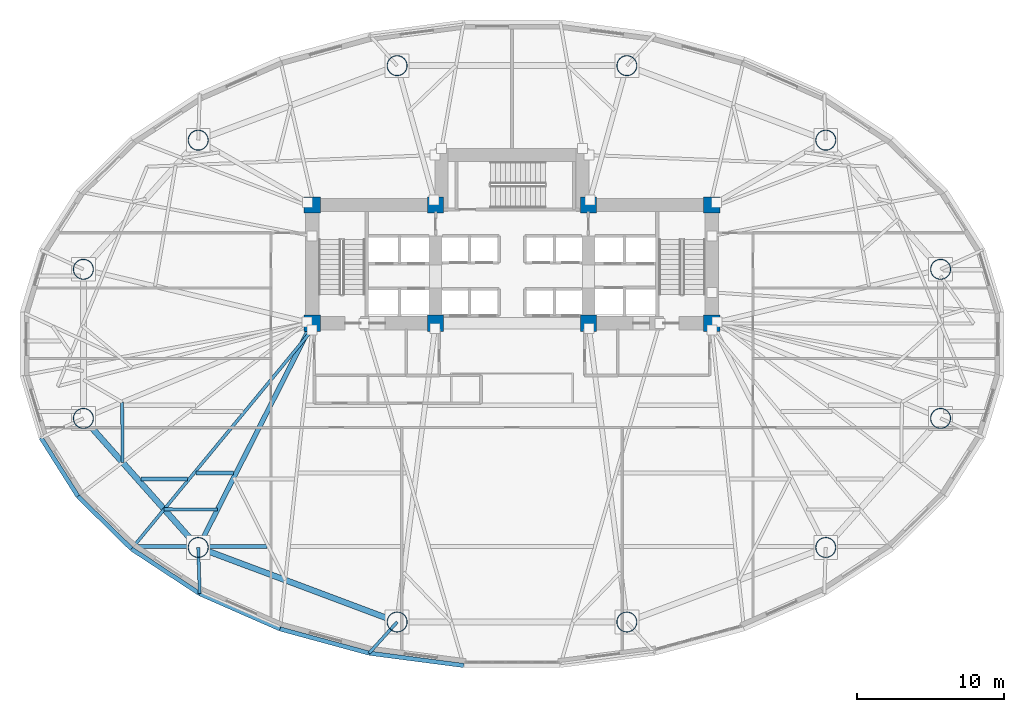
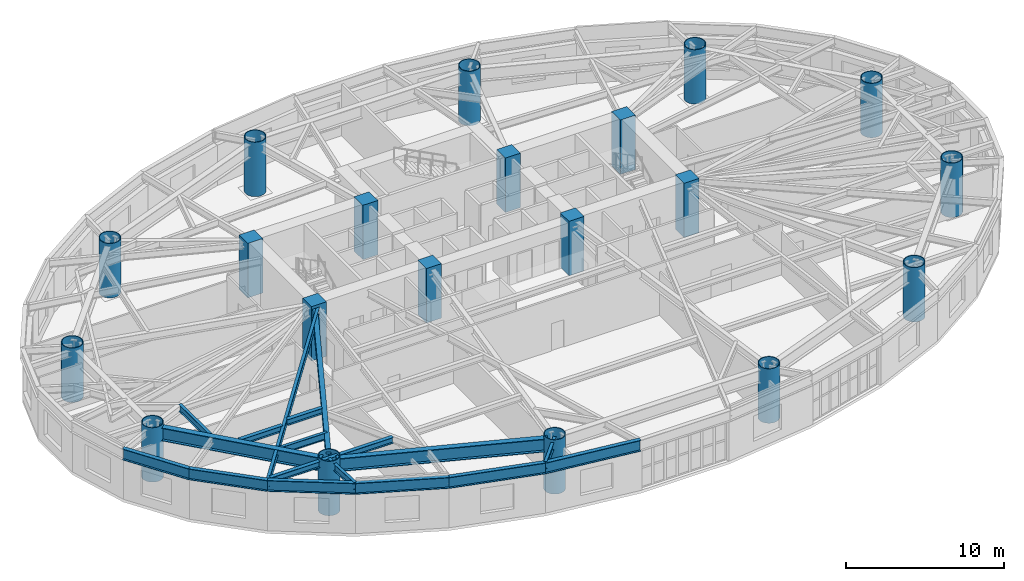
# One storey, part 1 of 18: 20 columns, 17 beams.
"""IFC4 building model written with IfcOpenShell, lengths in metres."""

from ifc_helpers import new_model, si_unit, direction, frame, origin, origin_2d, place, context, subcontext, project, spatial, rectangle, hollow_circle, i_section, extrude, material, material_profile, profile_set, type_object, element, save


model = new_model("IFC4")

# Units and contexts
model_context = context("Model", 3, precision=1e-05, world=origin(), true_north=direction((0.0, 1.0)))
body_context = subcontext(model_context, "Body", "Model", "MODEL_VIEW")
ifc_project = project(units=[si_unit("LENGTHUNIT", "METRE"), si_unit("AREAUNIT", "SQUARE_METRE"), si_unit("VOLUMEUNIT", "CUBIC_METRE"), si_unit("PLANEANGLEUNIT", "RADIAN"), si_unit("MASSUNIT", "GRAM", prefix="KILO")], contexts=[model_context])

# Site, building, storey
site_placement = place(None, origin())
site = spatial("IfcSite", under=ifc_project, at=site_placement, CompositionType="ELEMENT")
building_placement = place(site_placement, origin())
building = spatial("IfcBuilding", under=site, at=building_placement, Name="Keldmark Tower", CompositionType="ELEMENT")
storey_placement = place(building_placement, frame((0.0, 0.0, 6.0)))
storey = spatial("IfcBuildingStorey", under=building, at=storey_placement, Name="L01", CompositionType="ELEMENT", Elevation=6.0)

# Columns
ifc_material_1 = material(Name="Concrete C70/85", Category="concrete")
ifc_material_profile_1 = material_profile(ifc_material_1, rectangle(XDim=1.10009765625, YDim=1.10009765625, at=origin_2d()), Name="RC1100X1100")
ifc_profile_set_1 = profile_set([ifc_material_profile_1], Name="Concrete C70/85")
column_type_1 = type_object("IfcColumnType", Name="Core Boundary Column RC1100", PredefinedType="COLUMN", material=ifc_profile_set_1)
for number, where, z_axis, x_axis, name in (
    (1, (-13.60009765625, 1.39990234375, 0.0), (0.0, 0.0, 1.0), (1.0, 0.0, 0.0), "L01 Core Boundary Column CC-W1"),
    (2, (-13.60009765625, 9.449951171875, 0.0), (0.0, 0.0, 1.0), (1.0, 0.0, 0.0), "L01 Core Boundary Column CC-W2"),
    (3, (-5.199951171875, 1.39990234375, 0.0), (0.0, 0.0, 1.0), (1.0, 0.0, 0.0), "L01 Core Boundary Column CC-W3"),
    (4, (-5.199951171875, 9.449951171875, 0.0), (0.0, 0.0, 1.0), (1.0, 0.0, 0.0), "L01 Core Boundary Column CC-W4"),
    (5, (5.199951171875, 1.39990234375, 0.0), (0.0, 0.0, 1.0), (1.0, 0.0, 0.0), "L01 Core Boundary Column CC-E1"),
    (6, (5.199951171875, 9.449951171875, 0.0), (0.0, 0.0, 1.0), (1.0, 0.0, 0.0), "L01 Core Boundary Column CC-E2"),
    (7, (13.60009765625, 1.39990234375, 0.0), (0.0, 0.0, 1.0), (1.0, 0.0, 0.0), "L01 Core Boundary Column CC-E3"),
    (8, (13.60009765625, 9.449951171875, 0.0), (0.0, 0.0, 1.0), (1.0, 0.0, 0.0), "L01 Core Boundary Column CC-E4"),
):
    element("IfcColumn", number, at=place(storey_placement, frame(where, z_axis=z_axis, x_axis=x_axis)), inside=storey, type_object=column_type_1, Name=name, PredefinedType="COLUMN", context=body_context, shape_type="SweptSolid", body=[
        extrude(rectangle(XDim=1.10009765625, YDim=1.10009765625, at=origin_2d()), origin(), (0.0, 0.0, 1.0), 4.199951171875),
    ])
ifc_material_2 = material(Name="Steel ASTM A572 Grade 50", Category="steel")
ifc_material_profile_2 = material_profile(ifc_material_2, hollow_circle(Radius=0.699951171875, WallThickness=0.050048828125, at=origin_2d()), Name="CHS1400X50")
ifc_profile_set_2 = profile_set([ifc_material_profile_2], Name="Steel ASTM A572 Grade 50")
column_type_2 = type_object("IfcColumnType", Name="Pilotis Mega-Column Upper CHS1400", PredefinedType="USERDEFINED", material=ifc_profile_set_2)
for number, where, z_axis, x_axis, name in (
    (9, (29.1708984375, 5.072998046875, 0.0), (0.0, 0.0, 1.0), (1.0, 0.0, 0.0), "L01 Pilotis Mega-Column MC-01"),
    (10, (21.3544921875, 13.859375, 0.0), (0.0, 0.0, 1.0), (1.0, 0.0, 0.0), "L01 Pilotis Mega-Column MC-02"),
    (11, (7.81640625, 18.93212890625, 0.0), (0.0, 0.0, 1.0), (1.0, 0.0, 0.0), "L01 Pilotis Mega-Column MC-03"),
    (12, (-7.81640625, 18.93212890625, 0.0), (0.0, 0.0, 1.0), (1.0, 0.0, 0.0), "L01 Pilotis Mega-Column MC-04"),
    (13, (-21.3544921875, 13.859375, 0.0), (0.0, 0.0, 1.0), (1.0, 0.0, 0.0), "L01 Pilotis Mega-Column MC-05"),
    (14, (-29.1708984375, 5.072998046875, 0.0), (0.0, 0.0, 1.0), (1.0, 0.0, 0.0), "L01 Pilotis Mega-Column MC-06"),
    (15, (-29.1708984375, -5.072998046875, 0.0), (0.0, 0.0, 1.0), (1.0, 0.0, 0.0), "L01 Pilotis Mega-Column MC-07"),
    (16, (-21.3544921875, -13.859375, 0.0), (0.0, 0.0, 1.0), (1.0, 0.0, 0.0), "L01 Pilotis Mega-Column MC-08"),
    (17, (-7.81640625, -18.93212890625, 0.0), (0.0, 0.0, 1.0), (1.0, 0.0, 0.0), "L01 Pilotis Mega-Column MC-09"),
    (18, (7.81640625, -18.93212890625, 0.0), (0.0, 0.0, 1.0), (1.0, 0.0, 0.0), "L01 Pilotis Mega-Column MC-10"),
    (19, (21.3544921875, -13.859375, 0.0), (0.0, 0.0, 1.0), (1.0, 0.0, 0.0), "L01 Pilotis Mega-Column MC-11"),
    (20, (29.1708984375, -5.072998046875, 0.0), (0.0, 0.0, 1.0), (1.0, 0.0, 0.0), "L01 Pilotis Mega-Column MC-12"),
):
    element("IfcColumn", number, at=place(storey_placement, frame(where, z_axis=z_axis, x_axis=x_axis)), inside=storey, type_object=column_type_2, Name=name, ObjectType="MEGA COLUMN", PredefinedType="USERDEFINED", context=body_context, shape_type="SweptSolid", body=[
        extrude(hollow_circle(Radius=0.699951171875, WallThickness=0.050048828125, at=origin_2d()), origin(), (0.0, 0.0, 1.0), 4.199951171875),
    ])

# Beams
ifc_material_3 = material(Name="Steel ASTM A992 Grade 50", Category="steel")
ifc_material_profile_3 = material_profile(ifc_material_3, i_section(OverallWidth=0.280029296875, OverallDepth=0.462890625, WebThickness=0.0107421875, FlangeThickness=0.017333984375, at=origin_2d()), Name="W18X76")
ifc_profile_set_3 = profile_set([ifc_material_profile_3], Name="Steel ASTM A992 Grade 50")
beam_type_1 = type_object("IfcBeamType", Name="Composite Floor Joist W18X76", PredefinedType="JOIST", material=ifc_profile_set_3)
beam_1_placement = place(storey_placement, frame((-25.640625, -13.800048828125, 3.74853515625), z_axis=(1.0, 0.0, 0.0), x_axis=(0.0, 1.0, 0.0)))
element("IfcBeam", 21, at=beam_1_placement, inside=storey, type_object=beam_type_1, Name="L01 Composite Floor Joist J01", PredefinedType="JOIST", context=body_context, shape_type="SweptSolid", body=[
    extrude(i_section(OverallWidth=0.280029296875, OverallDepth=0.462890625, WebThickness=0.0107421875, FlangeThickness=0.017333984375, at=origin_2d()), origin(), (0.0, 0.0, 1.0), 8.95751953125),
])
beam_2_placement = place(storey_placement, frame((-25.240966796875, -9.199951171875, 3.74853515625), z_axis=(1.0, 0.0, 0.0), x_axis=(0.0, 1.0, 0.0)))
element("IfcBeam", 22, at=beam_2_placement, inside=storey, type_object=beam_type_1, Name="L01 Composite Floor Joist J06", PredefinedType="JOIST", context=body_context, shape_type="SweptSolid", body=[
    extrude(i_section(OverallWidth=0.280029296875, OverallDepth=0.462890625, WebThickness=0.0107421875, FlangeThickness=0.017333984375, at=origin_2d()), origin(), (0.0, 0.0, 1.0), 3.142822265625),
])
beam_3_placement = place(storey_placement, frame((-21.5, -8.780029296875, 3.74853515625), z_axis=(1.0, 0.0, 0.0), x_axis=(0.0, 1.0, 0.0)))
element("IfcBeam", 23, at=beam_3_placement, inside=storey, type_object=beam_type_1, Name="L01 Composite Floor Joist J07", PredefinedType="JOIST", context=body_context, shape_type="SweptSolid", body=[
    extrude(i_section(OverallWidth=0.280029296875, OverallDepth=0.462890625, WebThickness=0.0107421875, FlangeThickness=0.017333984375, at=origin_2d()), origin(), (0.0, 0.0, 1.0), 2.552734375),
])
ifc_material_4 = material(Name="Steel ASTM A992 Grade 50", Category="steel")
ifc_material_profile_4 = material_profile(ifc_material_4, i_section(OverallWidth=0.402099609375, OverallDepth=1.011962890625, WebThickness=0.023681640625, FlangeThickness=0.0419921875, at=origin_2d()), Name="W40X297")
ifc_profile_set_4 = profile_set([ifc_material_profile_4], Name="Steel ASTM A992 Grade 50")
beam_type_2 = type_object("IfcBeamType", Name="Podium Primary Girder W40X297", PredefinedType="BEAM", material=ifc_profile_set_4)
beam_4_placement = place(storey_placement, frame((-28.871826171875, -5.4091796875, 3.47412109375), z_axis=(0.66464984112, -0.747154996436, 0.0), x_axis=(0.747154996436, 0.66464984112, 0.0)))
element("IfcBeam", 24, at=beam_4_placement, inside=storey, type_object=beam_type_2, Name="L01 Podium Ring Girder PG-R07", PredefinedType="BEAM", context=body_context, shape_type="SweptSolid", body=[
    extrude(i_section(OverallWidth=0.402099609375, OverallDepth=1.011962890625, WebThickness=0.023681640625, FlangeThickness=0.0419921875, at=origin_2d()), origin(), (0.0, 0.0, 1.0), 10.85986328125),
])
beam_5_placement = place(storey_placement, frame((-20.93310546875, -14.01708984375, 3.47412109375), z_axis=(0.936417954382, -0.350886612329, 0.0), x_axis=(0.350886612329, 0.936417954382, 0.0)))
element("IfcBeam", 25, at=beam_5_placement, inside=storey, type_object=beam_type_2, Name="L01 Podium Ring Girder PG-R08", PredefinedType="BEAM", context=body_context, shape_type="SweptSolid", body=[
    extrude(i_section(OverallWidth=0.402099609375, OverallDepth=1.011962890625, WebThickness=0.023681640625, FlangeThickness=0.0419921875, at=origin_2d()), origin(), (0.0, 0.0, 1.0), 13.557373046875),
])
ifc_material_5 = material(Name="Steel ASTM A992 Grade 50", Category="steel")
ifc_material_profile_5 = material_profile(ifc_material_5, i_section(OverallWidth=0.2099609375, OverallDepth=0.537109375, WebThickness=0.010986328125, FlangeThickness=0.017333984375, at=origin_2d()), Name="W21X68")
ifc_profile_set_5 = profile_set([ifc_material_profile_5], Name="Steel ASTM A992 Grade 50")
beam_type_3 = type_object("IfcBeamType", Name="Radial Tie Girder W21X68", PredefinedType="BEAM", material=ifc_profile_set_5)
beam_6_placement = place(storey_placement, frame((-26.53076171875, -3.975341796875, 3.71142578125), z_axis=(0.005253345215, -0.999986201087, 0.0), x_axis=(0.999986201087, 0.005253345215, 0.0)))
element("IfcBeam", 26, at=beam_6_placement, inside=storey, type_object=beam_type_3, Name="L01 Framing Pin Header PH-019", PredefinedType="BEAM", context=body_context, shape_type="SweptSolid", body=[
    extrude(i_section(OverallWidth=0.2099609375, OverallDepth=0.537109375, WebThickness=0.010986328125, FlangeThickness=0.017333984375, at=origin_2d()), origin(), (0.0, 0.0, 1.0), 4.089599609375),
])
beam_7_placement = place(storey_placement, frame((-20.0419921875, -11.276123046875, 3.71142578125), z_axis=(-0.999986569863, 0.005182672537, 0.0), x_axis=(-0.005182672537, -0.999986569863, 0.0)))
element("IfcBeam", 27, at=beam_7_placement, inside=storey, type_object=beam_type_3, Name="L01 Framing Pin Header PH-020", PredefinedType="BEAM", context=body_context, shape_type="SweptSolid", body=[
    extrude(i_section(OverallWidth=0.2099609375, OverallDepth=0.537109375, WebThickness=0.010986328125, FlangeThickness=0.017333984375, at=origin_2d()), origin(), (0.0, 0.0, 1.0), 3.627197265625),
])
beam_8_placement = place(storey_placement, frame((-13.60009765625, 0.949951171875, 3.71142578125), z_axis=(-0.636316421227, -0.771428163912, 0.0), x_axis=(0.771428163912, -0.636316421227, 0.0)))
element("IfcBeam", 28, at=beam_8_placement, inside=storey, type_object=beam_type_3, Name="L01 Perimeter Radial Tie Girder RT-20", PredefinedType="BEAM", context=body_context, shape_type="SweptSolid", body=[
    extrude(i_section(OverallWidth=0.2099609375, OverallDepth=0.537109375, WebThickness=0.010986328125, FlangeThickness=0.017333984375, at=origin_2d()), origin(), (0.0, 0.0, 1.0), 19.323486328125),
])
beam_9_placement = place(storey_placement, frame((-21.3544921875, -13.859375, 3.71142578125), z_axis=(0.032491176768, -0.999472022336, 0.0), x_axis=(0.999472022336, 0.032491176768, 0.0)))
element("IfcBeam", 29, at=beam_9_placement, inside=storey, type_object=beam_type_3, Name="L01 Perimeter Column Bracket RT-21", PredefinedType="BEAM", context=body_context, shape_type="SweptSolid", body=[
    extrude(i_section(OverallWidth=0.2099609375, OverallDepth=0.537109375, WebThickness=0.010986328125, FlangeThickness=0.017333984375, at=origin_2d()), origin(), (0.0, 0.0, 1.0), 3.1484375),
])
beam_10_placement = place(storey_placement, frame((-7.81640625, -18.93212890625, 3.71142578125), z_axis=(-0.668898533975, -0.743353718795, 0.0), x_axis=(0.743353718795, -0.668898533975, 0.0)))
element("IfcBeam", 30, at=beam_10_placement, inside=storey, type_object=beam_type_3, Name="L01 Perimeter Column Bracket RT-23", PredefinedType="BEAM", context=body_context, shape_type="SweptSolid", body=[
    extrude(i_section(OverallWidth=0.2099609375, OverallDepth=0.537109375, WebThickness=0.010986328125, FlangeThickness=0.017333984375, at=origin_2d()), origin(), (0.0, 0.0, 1.0), 2.852783203125),
])
ifc_material_6 = material(Name="Steel ASTM A992 Grade 50", Category="steel")
ifc_material_profile_6 = material_profile(ifc_material_6, i_section(OverallWidth=0.326904296875, OverallDepth=0.6220703125, WebThickness=0.015380859375, FlangeThickness=0.0244140625, at=origin_2d()), Name="W24X131")
ifc_profile_set_6 = profile_set([ifc_material_profile_6], Name="Steel ASTM A992 Grade 50")
beam_type_4 = type_object("IfcBeamType", Name="Spandrel Ring Beam W24X131", PredefinedType="SPANDREL", material=ifc_profile_set_6)
beam_11_placement = place(storey_placement, frame((-21.150634765625, -13.4580078125, 3.6689453125), z_axis=(0.45304555932, 0.891487364566, 0.0), x_axis=(-0.891487364566, 0.45304555932, 0.0)))
element("IfcBeam", 31, at=beam_11_placement, inside=storey, type_object=beam_type_4, Name="L01 Podium Radial Girder PG-C08", PredefinedType="SPANDREL", context=body_context, shape_type="SweptSolid", body=[
    extrude(i_section(OverallWidth=0.326904296875, OverallDepth=0.6220703125, WebThickness=0.015380859375, FlangeThickness=0.0244140625, at=origin_2d()), origin(), (0.0, 0.0, 1.0), 16.31640625),
])
ifc_material_7 = material(Name="Steel ASTM A992 Grade 50", Category="steel")
ifc_material_profile_7 = material_profile(ifc_material_7, i_section(OverallWidth=0.2919921875, OverallDepth=0.85888671875, WebThickness=0.01708984375, FlangeThickness=0.031005859375, at=origin_2d()), Name="W33X169")
ifc_profile_set_7 = profile_set([ifc_material_profile_7], Name="Steel ASTM A992 Grade 50")
beam_type_5 = type_object("IfcBeamType", Name="Spandrel Ring Beam W33X169", PredefinedType="SPANDREL", material=ifc_profile_set_7)
beam_12_placement = place(storey_placement, frame((-32.0576171875, -6.38623046875, 3.550537109375), z_axis=(0.53349762721, -0.845801561693, 0.0), x_axis=(0.845801561693, 0.53349762721, 0.0)))
element("IfcBeam", 32, at=beam_12_placement, inside=storey, type_object=beam_type_5, Name="L01 Perimeter Spandrel Ring Beam SRB-18", PredefinedType="SPANDREL", context=body_context, shape_type="SweptSolid", body=[
    extrude(i_section(OverallWidth=0.2919921875, OverallDepth=0.85888671875, WebThickness=0.01708984375, FlangeThickness=0.031005859375, at=origin_2d()), origin(), (0.0, 0.0, 1.0), 4.710693359375),
])
beam_13_placement = place(storey_placement, frame((-29.54443359375, -10.37060546875, 3.550537109375), z_axis=(0.713165222071, -0.700995981464, 0.0), x_axis=(0.700995981464, 0.713165222071, 0.0)))
element("IfcBeam", 33, at=beam_13_placement, inside=storey, type_object=beam_type_5, Name="L01 Perimeter Spandrel Ring Beam SRB-19", PredefinedType="SPANDREL", context=body_context, shape_type="SweptSolid", body=[
    extrude(i_section(OverallWidth=0.2919921875, OverallDepth=0.85888671875, WebThickness=0.01708984375, FlangeThickness=0.031005859375, at=origin_2d()), origin(), (0.0, 0.0, 1.0), 5.11572265625),
])
beam_14_placement = place(storey_placement, frame((-25.89599609375, -13.956787109375, 3.550537109375), z_axis=(0.835897322981, -0.548885840073, 0.0), x_axis=(0.548885840073, 0.835897322981, 0.0)))
element("IfcBeam", 34, at=beam_14_placement, inside=storey, type_object=beam_type_5, Name="L01 Perimeter Spandrel Ring Beam SRB-20", PredefinedType="SPANDREL", context=body_context, shape_type="SweptSolid", body=[
    extrude(i_section(OverallWidth=0.2919921875, OverallDepth=0.85888671875, WebThickness=0.01708984375, FlangeThickness=0.031005859375, at=origin_2d()), origin(), (0.0, 0.0, 1.0), 5.555419921875),
])
beam_15_placement = place(storey_placement, frame((-21.252197265625, -17.006103515625, 3.550537109375), z_axis=(0.91570760638, -0.401845218484, 0.0), x_axis=(0.401845218484, 0.91570760638, 0.0)))
element("IfcBeam", 35, at=beam_15_placement, inside=storey, type_object=beam_type_5, Name="L01 Perimeter Spandrel Ring Beam SRB-21", PredefinedType="SPANDREL", context=body_context, shape_type="SweptSolid", body=[
    extrude(i_section(OverallWidth=0.2919921875, OverallDepth=0.85888671875, WebThickness=0.01708984375, FlangeThickness=0.031005859375, at=origin_2d()), origin(), (0.0, 0.0, 1.0), 5.963134765625),
])
beam_16_placement = place(storey_placement, frame((-15.791748046875, -19.40234375, 3.550537109375), z_axis=(0.964936550718, -0.262483243445, 0.0), x_axis=(0.262483243445, 0.964936550718, 0.0)))
element("IfcBeam", 36, at=beam_16_placement, inside=storey, type_object=beam_type_5, Name="L01 Perimeter Spandrel Ring Beam SRB-22", PredefinedType="SPANDREL", context=body_context, shape_type="SweptSolid", body=[
    extrude(i_section(OverallWidth=0.2919921875, OverallDepth=0.85888671875, WebThickness=0.01708984375, FlangeThickness=0.031005859375, at=origin_2d()), origin(), (0.0, 0.0, 1.0), 6.28759765625),
])
beam_17_placement = place(storey_placement, frame((-9.724609375, -21.052734375, 3.550537109375), z_axis=(0.991576921472, -0.129519144545, 0.0), x_axis=(0.129519144545, 0.991576921472, 0.0)))
element("IfcBeam", 37, at=beam_17_placement, inside=storey, type_object=beam_type_5, Name="L01 Perimeter Spandrel Ring Beam SRB-23", PredefinedType="SPANDREL", context=body_context, shape_type="SweptSolid", body=[
    extrude(i_section(OverallWidth=0.2919921875, OverallDepth=0.85888671875, WebThickness=0.01708984375, FlangeThickness=0.031005859375, at=origin_2d()), origin(), (0.0, 0.0, 1.0), 6.49560546875),
])

save(model, "model.ifc")
